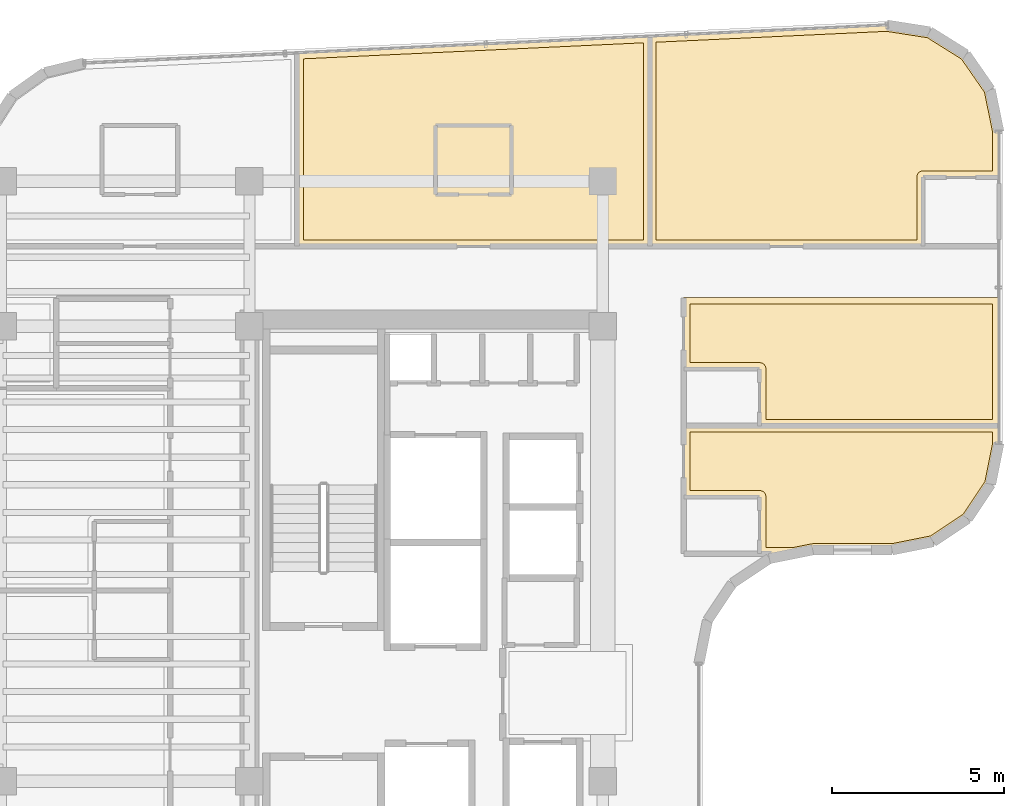
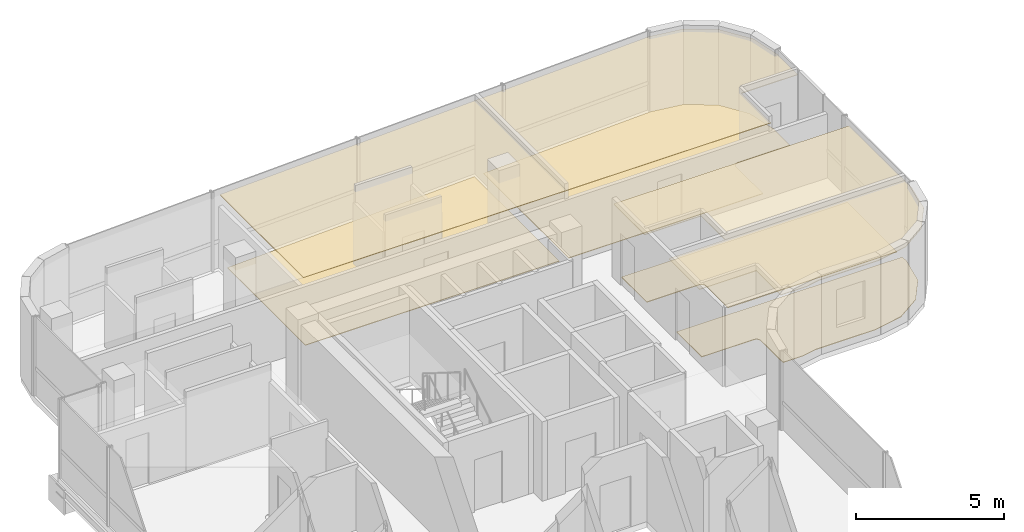
# One storey, part 20 of 20: 8 coverings.
"""IFC4 building model written with IfcOpenShell, lengths in metres."""

import ifcopenshell
import ifcopenshell.guid

model = None  # the IFC model being written
_history = None  # IfcOwnerHistory: only IFC2X3 demands one
_inside = {}  # id of a spatial element -> (the spatial element, [elements in it])
_under = {}  # id of a project, library or spatial element -> (it, [spatial elements below it])
_declared = {}  # id of a project -> (the project, [libraries it declares])
_typed = {}  # id of a type object -> (the type object, [elements of that type])
_made_of = {}  # id of a material, layer set ... -> (it, [elements and type objects made of it])


def new_model(schema):
    """Start an empty IFC model of exactly this schema.

    Asked for "IFC4X3", IfcOpenShell would pick the latest addendum, in which some entities
    have other attributes; the version numbers below select the first issue.
    IFC2X3 requires an IfcOwnerHistory on every rooted entity: one is made here for all.
    """
    global model, _history
    if schema == "IFC4X3":
        model = ifcopenshell.file(schema_version=(4, 3, 0, 0))
    else:
        model = ifcopenshell.file(schema=schema)
    _inside.clear()
    _under.clear()
    _declared.clear()
    _typed.clear()
    _made_of.clear()
    _history = None
    if model.schema == "IFC2X3":
        org = make("IfcOrganization", Name="unknown")
        user = make(
            "IfcPersonAndOrganization",
            ThePerson=make("IfcPerson", FamilyName="unknown"),
            TheOrganization=org,
        )
        app = make(
            "IfcApplication",
            ApplicationDeveloper=org,
            Version="unknown",
            ApplicationFullName="unknown",
            ApplicationIdentifier="unknown",
        )
        _history = make(
            "IfcOwnerHistory",
            OwningUser=user,
            OwningApplication=app,
            ChangeAction="ADDED",
            CreationDate=0,
        )
    return model


def make(cls, **values):
    """One entity of the class cls with the attributes given. An attribute that is None is left unset."""
    return model.create_entity(
        cls, **{name: value for name, value in values.items() if value is not None}
    )


def rooted(cls, **values):
    """An entity with a GlobalId (a new one), such as an element, a storey or a relation."""
    return make(cls, GlobalId=ifcopenshell.guid.new(), OwnerHistory=_history, **values)


def si_unit(unit_type, name, prefix=None):
    """IfcSIUnit, for example si_unit("LENGTHUNIT", "METRE", prefix="MILLI")."""
    return make("IfcSIUnit", UnitType=unit_type, Prefix=prefix, Name=name)


def assignment(units):
    """IfcUnitAssignment: the units of a project."""
    return None if units is None else make("IfcUnitAssignment", Units=units)


def point(xyz):
    """IfcCartesianPoint."""
    return None if xyz is None else make("IfcCartesianPoint", Coordinates=xyz)


def direction(xyz):
    """IfcDirection."""
    return None if xyz is None else make("IfcDirection", DirectionRatios=xyz)


def frame(location, z_axis=None, x_axis=None):
    """IfcAxis2Placement3D, a coordinate frame: its origin and axes. An axis left out is left unset."""
    return make(
        "IfcAxis2Placement3D",
        Location=point(location),
        Axis=direction(z_axis),
        RefDirection=direction(x_axis),
    )


def origin():
    """The frame at (0, 0, 0) with its axes left unset."""
    return frame((0.0, 0.0, 0.0))


def place(relative_to, where):
    """IfcLocalPlacement: puts the frame where relative to a parent placement (None: the world)."""
    return make(
        "IfcLocalPlacement", PlacementRelTo=relative_to, RelativePlacement=where
    )


def context(
    kind, dimensions, precision=None, world=None, true_north=None, identifier=None
):
    """IfcGeometricRepresentationContext, for example the 3D "Model" context."""
    return make(
        "IfcGeometricRepresentationContext",
        ContextIdentifier=identifier,
        ContextType=kind,
        CoordinateSpaceDimension=dimensions,
        Precision=precision,
        WorldCoordinateSystem=world,
        TrueNorth=true_north,
    )


def subcontext(parent, identifier, kind, view, scale=None):
    """IfcGeometricRepresentationSubContext, for example "Body" below "Model"."""
    return make(
        "IfcGeometricRepresentationSubContext",
        ContextIdentifier=identifier,
        ContextType=kind,
        ParentContext=parent,
        TargetScale=scale,
        TargetView=view,
    )


def project(units=None, contexts=None):
    """IfcProject with its units and contexts."""
    return rooted(
        "IfcProject",
        Name="project",
        RepresentationContexts=contexts,
        UnitsInContext=assignment(units),
    )


def spatial(cls, under=None, at=None, **own):
    """A site, building, storey or space (cls), placed at a placement, below another one or the project."""
    s = rooted(cls, ObjectPlacement=at, **own)
    if under is not None:
        _under.setdefault(under.id(), (under, []))[1].append(s)
    return s


def polyline(points):
    """IfcPolyline through the points."""
    return make("IfcPolyline", Points=[point(p) for p in points])


def outline(outer, holes=None, kind="AREA"):
    """IfcArbitraryClosedProfileDef: a profile drawn as a closed curve; with holes, ...WithVoids."""
    if holes is None:
        return make("IfcArbitraryClosedProfileDef", ProfileType=kind, OuterCurve=outer)
    return make(
        "IfcArbitraryProfileDefWithVoids",
        ProfileType=kind,
        OuterCurve=outer,
        InnerCurves=holes,
    )


def extrude(swept, where, along, depth):
    """IfcExtrudedAreaSolid: the profile swept, set in the frame where, extruded along a direction by depth."""
    return make(
        "IfcExtrudedAreaSolid",
        SweptArea=swept,
        Position=where,
        ExtrudedDirection=direction(along),
        Depth=depth,
    )


def shape(context_of_items, identifier, shape_type, items):
    """IfcShapeRepresentation: the items that make up one representation, for example the "Body"."""
    return make(
        "IfcShapeRepresentation",
        ContextOfItems=context_of_items,
        RepresentationIdentifier=identifier,
        RepresentationType=shape_type,
        Items=items,
    )


def material(Name=None, Category=None):
    """IfcMaterial."""
    return make("IfcMaterial", Name=Name, Category=Category)


def layer(
    of_material, thickness, ventilated=None, Name=None, Category=None, Priority=None
):
    """IfcMaterialLayer: one layer of a wall or slab, of a material (None: an air gap)."""
    return make(
        "IfcMaterialLayer",
        Material=of_material,
        LayerThickness=thickness,
        IsVentilated=ventilated,
        Name=Name,
        Category=Category,
        Priority=Priority,
    )


def layer_set(layers, Name=None):
    """IfcMaterialLayerSet."""
    return make("IfcMaterialLayerSet", MaterialLayers=layers, LayerSetName=Name)


def made_of(thing, what):
    """Note that an element or type object is made of a material, layer set ...; save() writes the relation."""
    if what is not None:
        _made_of.setdefault(what.id(), (what, []))[1].append(thing)
    return thing


def type_object(cls, material=None, **own):
    """A type object (cls), such as IfcWallType, which elements share."""
    return made_of(rooted(cls, **own), material)


def element(
    cls,
    number,
    at=None,
    inside=None,
    cuts=None,
    type_object=None,
    material=None,
    context=None,
    identifier="Body",
    shape_type=None,
    held_by="IfcProductDefinitionShape",
    body=None,
    shapes=None,
    **own,
):
    """One element of the class cls, such as IfcWall. Its Tag is "e" and its number.

    at: its placement. inside: the storey or other place that contains it. cuts: it is an
    opening in that element (IfcRelVoidsElement). A single representation is given by context,
    identifier, shape_type and body (its items); several are given by shapes. held_by: the class
    of the entity that holds the representations. save() writes the other relations.
    """
    e = rooted(cls, Tag="e%d" % number, ObjectPlacement=at, **own)
    if body is not None:
        shapes = [shape(context, identifier, shape_type, body)]
    if shapes is not None:
        e.Representation = make(held_by, Representations=shapes)
    if inside is not None:
        _inside.setdefault(inside.id(), (inside, []))[1].append(e)
    if cuts is not None:
        rooted(
            "IfcRelVoidsElement", RelatingBuildingElement=cuts, RelatedOpeningElement=e
        )
    if type_object is not None:
        _typed.setdefault(type_object.id(), (type_object, []))[1].append(e)
    return made_of(e, material)


def aggregate(whole, parts):
    """IfcRelAggregates: a whole, such as a stair, and the parts it consists of."""
    return rooted("IfcRelAggregates", RelatingObject=whole, RelatedObjects=parts)


def save(model, path):
    """Write the relations noted so far, then the file.

    IfcRelAggregates (storeys below a building ...), IfcRelContainedInSpatialStructure (elements
    in a storey), IfcRelDefinesByType, IfcRelAssociatesMaterial and IfcRelDeclares: one each for
    every whole, place, type object, material and project.
    """
    for whole, parts in _under.values():
        aggregate(whole, parts)
    for where, things in _inside.values():
        rooted(
            "IfcRelContainedInSpatialStructure",
            RelatedElements=things,
            RelatingStructure=where,
        )
    for kind, things in _typed.values():
        rooted("IfcRelDefinesByType", RelatedObjects=things, RelatingType=kind)
    for what, things in _made_of.values():
        rooted("IfcRelAssociatesMaterial", RelatedObjects=things, RelatingMaterial=what)
    for by, libraries in _declared.values():
        rooted("IfcRelDeclares", RelatingContext=by, RelatedDefinitions=libraries)
    model.write(path)


model = new_model("IFC4")

# Units and contexts
model_context = context("Model", 3, precision=1e-05, world=origin(), true_north=direction((0.0, 1.0)))
body_context = subcontext(model_context, "Body", "Model", "MODEL_VIEW")
ifc_project = project(units=[si_unit("LENGTHUNIT", "METRE"), si_unit("AREAUNIT", "SQUARE_METRE"), si_unit("VOLUMEUNIT", "CUBIC_METRE"), si_unit("PLANEANGLEUNIT", "RADIAN"), si_unit("MASSUNIT", "GRAM", prefix="KILO")], contexts=[model_context])

# Site, building, storey
site_placement = place(None, origin())
site = spatial("IfcSite", under=ifc_project, at=site_placement, CompositionType="ELEMENT")
building_placement = place(site_placement, origin())
building = spatial("IfcBuilding", under=site, at=building_placement, Name="Valdorenza Pilgrim Sanctuary Tower", CompositionType="ELEMENT")
storey_placement = place(building_placement, frame((0.0, 0.0, 244.0)))
storey = spatial("IfcBuildingStorey", under=building, at=storey_placement, Name="L63", CompositionType="ELEMENT", Elevation=244.0)

# Coverings
ifc_material_1 = material(Name="Micro-perforated acoustic mineral ceiling tile", Category="gypsum")
ifc_layer_1 = layer(ifc_material_1, 0.02490234375, Name="Micro-perforated acoustic mineral ceiling tile")
ifc_layer_set_1 = layer_set([ifc_layer_1], Name="Micro-perforated acoustic mineral ceiling tile")
covering_type_1 = type_object("IfcCoveringType", Name="COV-CLG-ACU", PredefinedType="CEILING", material=ifc_layer_set_1)
covering_1_placement = place(storey_placement, frame((0.0, 0.0, 2.9599609375)))
element("IfcCovering", 1, at=covering_1_placement, inside=storey, type_object=covering_type_1, Name="L63 North Guest Room L63-N2 Acoustic Ceiling", PredefinedType="CEILING", context=body_context, shape_type="SweptSolid", body=[
    extrude(outline(polyline([(-21.280029296875, 18.525146484375), (-21.280029296875, 18.52587890625), (-21.27978515625, 18.52734375), (-21.279541015625, 18.52880859375), (-21.279052734375, 18.5302734375), (-21.278564453125, 18.531494140625), (-21.27783203125, 18.532958984375), (-21.277099609375, 18.5341796875), (-21.276123046875, 18.535400390625), (-21.275146484375, 18.536376953125), (-21.27392578125, 18.537109375), (-21.272705078125, 18.5380859375), (-21.271484375, 18.538818359375), (-21.27001953125, 18.539306640625), (-21.2685546875, 18.539794921875), (-21.26708984375, 18.5400390625), (-21.265625, 18.540283203125), (-11.034423828125, 19.0224609375), (-11.03369140625, 19.0224609375), (-11.032958984375, 19.0224609375), (-11.031494140625, 19.0224609375), (-11.030029296875, 19.022216796875), (-11.028564453125, 19.02197265625), (-11.02734375, 19.021484375), (-11.02587890625, 19.020751953125), (-11.024658203125, 19.02001953125), (-11.0234375, 19.01904296875), (-11.0224609375, 19.01806640625), (-11.021484375, 19.01708984375), (-11.0205078125, 19.015869140625), (-11.019775390625, 19.0146484375), (-11.01904296875, 19.01318359375), (-11.0185546875, 19.011962890625), (-11.018310546875, 19.010498046875), (-11.01806640625, 19.009033203125), (-11.01806640625, 19.007568359375), (-11.01806640625, 12.919921875), (-11.01806640625, 12.91845703125), (-11.018310546875, 12.9169921875), (-11.0185546875, 12.91552734375), (-11.01904296875, 12.914306640625), (-11.019775390625, 12.912841796875), (-11.0205078125, 12.91162109375), (-11.021484375, 12.910400390625), (-11.0224609375, 12.909423828125), (-11.0234375, 12.908447265625), (-11.024658203125, 12.907470703125), (-11.02587890625, 12.90673828125), (-11.02734375, 12.906005859375), (-11.028564453125, 12.905517578125), (-11.030029296875, 12.9052734375), (-11.031494140625, 12.905029296875), (-11.032958984375, 12.905029296875), (-21.264892578125, 12.905029296875), (-21.2666015625, 12.905029296875), (-21.267822265625, 12.9052734375), (-21.269287109375, 12.905517578125), (-21.270751953125, 12.906005859375), (-21.272216796875, 12.90673828125), (-21.273193359375, 12.907470703125), (-21.2744140625, 12.908447265625), (-21.275634765625, 12.909423828125), (-21.276611328125, 12.910400390625), (-21.277587890625, 12.91162109375), (-21.2783203125, 12.912841796875), (-21.27880859375, 12.914306640625), (-21.279296875, 12.91552734375), (-21.27978515625, 12.9169921875), (-21.27978515625, 12.91845703125), (-21.280029296875, 12.919921875), (-21.280029296875, 18.525146484375), (-21.280029296875, 18.525146484375)])), origin(), (0.0, 0.0, 1.0), 0.025146484375),
])
covering_2_placement = place(storey_placement, frame((0.0, 0.0, 2.9599609375)))
element("IfcCovering", 2, at=covering_2_placement, inside=storey, type_object=covering_type_1, Name="L63 North Guest Room L63-N3 Acoustic Ceiling", PredefinedType="CEILING", context=body_context, shape_type="SweptSolid", body=[
    extrude(outline(polyline([(-11.0458984375, 19.007568359375), (-11.0458984375, 19.00830078125), (-11.0458984375, 19.009765625), (-11.045654296875, 19.01123046875), (-11.045166015625, 19.0126953125), (-11.044677734375, 19.01416015625), (-11.0439453125, 19.015380859375), (-11.04296875, 19.0166015625), (-11.0419921875, 19.017578125), (-11.041015625, 19.018798828125), (-11.039794921875, 19.019775390625), (-11.038818359375, 19.0205078125), (-11.037353515625, 19.021240234375), (-11.035888671875, 19.021728515625), (-11.03466796875, 19.022216796875), (-11.033203125, 19.0224609375), (-11.03173828125, 19.022705078125), (-4.157470703125, 19.3466796875), (-4.156005859375, 19.3466796875), (-4.154296875, 19.346435546875), (-2.91748046875, 19.153076171875), (-2.916015625, 19.152587890625), (-2.91455078125, 19.15234375), (-2.9130859375, 19.151611328125), (-2.911865234375, 19.15087890625), (-1.860595703125, 18.492431640625), (-1.859619140625, 18.49169921875), (-1.8583984375, 18.490478515625), (-1.857421875, 18.489501953125), (-1.8564453125, 18.48828125), (-1.149169921875, 17.46923828125), (-1.148193359375, 17.468017578125), (-1.147705078125, 17.466552734375), (-1.147216796875, 17.465087890625), (-1.146728515625, 17.463623046875), (-0.895263671875, 16.237548828125), (-0.89501953125, 16.236083984375), (-0.89501953125, 16.234375), (-0.89501953125, 14.922119140625), (-0.89501953125, 14.92041015625), (-0.895263671875, 14.919189453125), (-0.8955078125, 14.91748046875), (-0.89599609375, 14.916259765625), (-0.896728515625, 14.914794921875), (-0.8974609375, 14.913818359375), (-0.8984375, 14.91259765625), (-0.8994140625, 14.911376953125), (-0.900390625, 14.910400390625), (-0.901611328125, 14.909423828125), (-0.90283203125, 14.90869140625), (-0.904296875, 14.908203125), (-0.905517578125, 14.90771484375), (-0.906982421875, 14.9072265625), (-0.908447265625, 14.906982421875), (-0.909912109375, 14.906982421875), (-3.096923828125, 14.906982421875), (-3.096923828125, 12.919921875), (-3.09716796875, 12.91845703125), (-3.097412109375, 12.9169921875), (-3.09765625, 12.91552734375), (-3.09814453125, 12.914306640625), (-3.098876953125, 12.912841796875), (-3.099609375, 12.91162109375), (-3.100341796875, 12.910400390625), (-3.101318359375, 12.909423828125), (-3.1025390625, 12.908447265625), (-3.103759765625, 12.907470703125), (-3.10498046875, 12.90673828125), (-3.106201171875, 12.906005859375), (-3.107666015625, 12.905517578125), (-3.109130859375, 12.9052734375), (-3.110595703125, 12.905029296875), (-3.112060546875, 12.905029296875), (-11.031005859375, 12.905029296875), (-11.032470703125, 12.905029296875), (-11.033935546875, 12.9052734375), (-11.035400390625, 12.905517578125), (-11.03662109375, 12.906005859375), (-11.0380859375, 12.90673828125), (-11.039306640625, 12.907470703125), (-11.04052734375, 12.908447265625), (-11.04150390625, 12.909423828125), (-11.04248046875, 12.910400390625), (-11.04345703125, 12.91162109375), (-11.044189453125, 12.912841796875), (-11.044921875, 12.914306640625), (-11.04541015625, 12.91552734375), (-11.045654296875, 12.9169921875), (-11.0458984375, 12.91845703125), (-11.0458984375, 12.919921875), (-11.0458984375, 19.007568359375), (-11.0458984375, 19.007568359375)])), origin(), (0.0, 0.0, 1.0), 0.025146484375),
])
covering_3_placement = place(storey_placement, frame((0.0, 0.0, 2.9599609375)))
element("IfcCovering", 3, at=covering_3_placement, inside=storey, type_object=covering_type_1, Name="L63 East Sanctuary Guest Room L63-E1 Acoustic Ceiling", PredefinedType="CEILING", context=body_context, shape_type="SweptSolid", body=[
    extrude(outline(polyline([(-7.863037109375, 5.636962890625), (-10.050048828125, 5.636962890625), (-10.051513671875, 5.63720703125), (-10.052978515625, 5.63720703125), (-10.054443359375, 5.6376953125), (-10.0556640625, 5.63818359375), (-10.05712890625, 5.638916015625), (-10.058349609375, 5.639404296875), (-10.0595703125, 5.640380859375), (-10.060546875, 5.641357421875), (-10.0615234375, 5.642578125), (-10.0625, 5.643798828125), (-10.063232421875, 5.64501953125), (-10.06396484375, 5.646240234375), (-10.064453125, 5.647705078125), (-10.064697265625, 5.649169921875), (-10.06494140625, 5.650390625), (-10.06494140625, 5.652099609375), (-10.06494140625, 7.7099609375), (-10.06494140625, 7.71142578125), (-10.064697265625, 7.712890625), (-10.064453125, 7.71435546875), (-10.06396484375, 7.7158203125), (-10.063232421875, 7.717041015625), (-10.0625, 7.71826171875), (-10.0615234375, 7.719482421875), (-10.060546875, 7.720703125), (-10.0595703125, 7.7216796875), (-10.058349609375, 7.722412109375), (-10.05712890625, 7.72314453125), (-10.0556640625, 7.723876953125), (-10.054443359375, 7.724365234375), (-10.052978515625, 7.724609375), (-10.051513671875, 7.724853515625), (-10.050048828125, 7.72509765625), (-0.909912109375, 7.72509765625), (-0.908447265625, 7.724853515625), (-0.906982421875, 7.724609375), (-0.905517578125, 7.724365234375), (-0.904296875, 7.723876953125), (-0.90283203125, 7.72314453125), (-0.901611328125, 7.722412109375), (-0.900390625, 7.7216796875), (-0.8994140625, 7.720703125), (-0.8984375, 7.719482421875), (-0.8974609375, 7.71826171875), (-0.896728515625, 7.717041015625), (-0.89599609375, 7.7158203125), (-0.8955078125, 7.71435546875), (-0.895263671875, 7.712890625), (-0.89501953125, 7.71142578125), (-0.89501953125, 7.7099609375), (-0.89501953125, 7.210693359375), (-0.89501953125, 7.20947265625), (-0.895263671875, 7.2080078125), (-1.132568359375, 6.015380859375), (-1.1328125, 6.013916015625), (-1.13330078125, 6.0126953125), (-1.134033203125, 6.01123046875), (-1.134765625, 6.010009765625), (-1.80419921875, 5.00830078125), (-1.804931640625, 5.007080078125), (-1.805908203125, 5.006103515625), (-1.80712890625, 5.0048828125), (-1.808349609375, 5.004150390625), (-2.81005859375, 4.334716796875), (-2.811279296875, 4.333984375), (-2.8125, 4.33349609375), (-2.81396484375, 4.3330078125), (-2.8154296875, 4.33251953125), (-4.0078125, 4.09521484375), (-4.009521484375, 4.09521484375), (-4.0107421875, 4.094970703125), (-6.299560546875, 4.094970703125), (-6.309326171875, 4.094482421875), (-6.31884765625, 4.093017578125), (-6.86083984375, 3.9853515625), (-6.8623046875, 3.985107421875), (-6.86376953125, 3.985107421875), (-7.847900390625, 3.985107421875), (-7.849609375, 3.985107421875), (-7.850830078125, 3.9853515625), (-7.852294921875, 3.985595703125), (-7.853759765625, 3.986083984375), (-7.85498046875, 3.98681640625), (-7.856201171875, 3.987548828125), (-7.857421875, 3.98828125), (-7.858642578125, 3.989501953125), (-7.859619140625, 3.990478515625), (-7.860595703125, 3.99169921875), (-7.861083984375, 3.992919921875), (-7.86181640625, 3.994384765625), (-7.8623046875, 3.99560546875), (-7.86279296875, 3.9970703125), (-7.86279296875, 3.99853515625), (-7.863037109375, 4.0), (-7.863037109375, 5.636962890625)])), origin(), (0.0, 0.0, 1.0), 0.025146484375),
])
covering_4_placement = place(storey_placement, frame((0.0, 0.0, 2.9599609375)))
element("IfcCovering", 4, at=covering_4_placement, inside=storey, type_object=covering_type_1, Name="L63 East Sanctuary Guest Room L63-E2 Acoustic Ceiling", PredefinedType="CEILING", context=body_context, shape_type="SweptSolid", body=[
    extrude(outline(polyline([(-7.863037109375, 9.346923828125), (-10.050048828125, 9.346923828125), (-10.051513671875, 9.34716796875), (-10.052978515625, 9.347412109375), (-10.054443359375, 9.34765625), (-10.0556640625, 9.34814453125), (-10.05712890625, 9.348876953125), (-10.058349609375, 9.349609375), (-10.0595703125, 9.350341796875), (-10.060546875, 9.351318359375), (-10.0615234375, 9.3525390625), (-10.0625, 9.353759765625), (-10.063232421875, 9.35498046875), (-10.06396484375, 9.356201171875), (-10.064453125, 9.357666015625), (-10.064697265625, 9.359130859375), (-10.06494140625, 9.360595703125), (-10.06494140625, 9.362060546875), (-10.06494140625, 11.419921875), (-10.06494140625, 11.42138671875), (-10.064697265625, 11.4228515625), (-10.064453125, 11.42431640625), (-10.06396484375, 11.42578125), (-10.063232421875, 11.427001953125), (-10.0625, 11.42822265625), (-10.0615234375, 11.429443359375), (-10.060546875, 11.4306640625), (-10.0595703125, 11.431640625), (-10.058349609375, 11.4326171875), (-10.05712890625, 11.43310546875), (-10.0556640625, 11.433837890625), (-10.054443359375, 11.434326171875), (-10.052978515625, 11.434814453125), (-10.051513671875, 11.434814453125), (-10.050048828125, 11.43505859375), (-0.909912109375, 11.43505859375), (-0.908447265625, 11.434814453125), (-0.906982421875, 11.434814453125), (-0.905517578125, 11.434326171875), (-0.904296875, 11.433837890625), (-0.90283203125, 11.43310546875), (-0.901611328125, 11.4326171875), (-0.900390625, 11.431640625), (-0.8994140625, 11.4306640625), (-0.8984375, 11.429443359375), (-0.8974609375, 11.42822265625), (-0.896728515625, 11.427001953125), (-0.89599609375, 11.42578125), (-0.8955078125, 11.42431640625), (-0.895263671875, 11.4228515625), (-0.89501953125, 11.42138671875), (-0.89501953125, 11.419921875), (-0.89501953125, 7.7119140625), (-0.89501953125, 7.71044921875), (-0.895263671875, 7.708984375), (-0.8955078125, 7.70751953125), (-0.89599609375, 7.706298828125), (-0.896728515625, 7.704833984375), (-0.8974609375, 7.70361328125), (-0.8984375, 7.702392578125), (-0.8994140625, 7.701416015625), (-0.900390625, 7.700439453125), (-0.901611328125, 7.699462890625), (-0.90283203125, 7.69873046875), (-0.904296875, 7.697998046875), (-0.905517578125, 7.697509765625), (-0.906982421875, 7.697265625), (-0.908447265625, 7.697021484375), (-0.909912109375, 7.697021484375), (-7.847900390625, 7.697021484375), (-7.849609375, 7.697021484375), (-7.850830078125, 7.697265625), (-7.852294921875, 7.697509765625), (-7.853759765625, 7.697998046875), (-7.85498046875, 7.69873046875), (-7.856201171875, 7.699462890625), (-7.857421875, 7.700439453125), (-7.858642578125, 7.701416015625), (-7.859619140625, 7.702392578125), (-7.860595703125, 7.70361328125), (-7.861083984375, 7.704833984375), (-7.86181640625, 7.706298828125), (-7.8623046875, 7.70751953125), (-7.86279296875, 7.708984375), (-7.86279296875, 7.71044921875), (-7.863037109375, 7.7119140625), (-7.863037109375, 9.346923828125)])), origin(), (0.0, 0.0, 1.0), 0.025146484375),
])
ifc_material_2 = material(Name="Engineered European oak timber flooring", Category="wood")
ifc_layer_2 = layer(ifc_material_2, 0.02197265625, Name="Engineered European oak timber flooring")
ifc_layer_set_2 = layer_set([ifc_layer_2], Name="Engineered European oak timber flooring")
covering_type_2 = type_object("IfcCoveringType", Name="COV-FLR-OAK", PredefinedType="FLOORING", material=ifc_layer_set_2)
covering_5_placement = place(storey_placement, origin())
element("IfcCovering", 5, at=covering_5_placement, inside=storey, type_object=covering_type_2, Name="L63 North Guest Room L63-N2 Flooring", PredefinedType="FLOORING", context=body_context, shape_type="SweptSolid", body=[
    extrude(outline(polyline([(-11.212890625, 18.81884765625), (-11.212890625, 13.10009765625), (-21.0849609375, 13.10009765625), (-21.0849609375, 18.353515625), (-11.212890625, 18.81884765625)])), origin(), (0.0, 0.0, 1.0), 0.02490234375),
])
covering_6_placement = place(storey_placement, origin())
element("IfcCovering", 6, at=covering_6_placement, inside=storey, type_object=covering_type_2, Name="L63 North Guest Room L63-N3 Flooring", PredefinedType="FLOORING", context=body_context, shape_type="SweptSolid", body=[
    extrude(outline(polyline([(-4.16650390625, 19.15087890625), (-2.984130859375, 18.966064453125), (-1.99560546875, 18.3466796875), (-1.330322265625, 17.388427734375), (-1.090087890625, 16.21630859375), (-1.090087890625, 15.10205078125), (-3.110107421875, 15.10205078125), (-3.118896484375, 15.101806640625), (-3.118896484375, 15.101806640625), (-3.13671875, 15.10009765625), (-3.13671875, 15.10009765625), (-3.154052734375, 15.0966796875), (-3.154296875, 15.096435546875), (-3.171142578125, 15.09130859375), (-3.17138671875, 15.09130859375), (-3.187744140625, 15.084716796875), (-3.18798828125, 15.08447265625), (-3.20361328125, 15.076171875), (-3.20361328125, 15.076171875), (-3.21826171875, 15.066162109375), (-3.218505859375, 15.066162109375), (-3.232177734375, 15.054931640625), (-3.232421875, 15.0546875), (-3.244873046875, 15.042236328125), (-3.244873046875, 15.0419921875), (-3.256103515625, 15.028564453125), (-3.256103515625, 15.0283203125), (-3.26611328125, 15.013671875), (-3.26611328125, 15.013427734375), (-3.2744140625, 14.997802734375), (-3.274658203125, 14.997802734375), (-3.28125, 14.9814453125), (-3.281494140625, 14.981201171875), (-3.28662109375, 14.96435546875), (-3.28662109375, 14.964111328125), (-3.2900390625, 14.94677734375), (-3.2900390625, 14.946533203125), (-3.291748046875, 14.928955078125), (-3.291748046875, 14.9287109375), (-3.2919921875, 14.919921875), (-3.2919921875, 13.10009765625), (-10.85107421875, 13.10009765625), (-10.85107421875, 18.835693359375), (-4.16650390625, 19.15087890625)])), origin(), (0.0, 0.0, 1.0), 0.02490234375),
])
covering_7_placement = place(storey_placement, origin())
element("IfcCovering", 7, at=covering_7_placement, inside=storey, type_object=covering_type_2, Name="L63 East Sanctuary Guest Room L63-E1 Flooring", PredefinedType="FLOORING", context=body_context, shape_type="SweptSolid", body=[
    extrude(outline(polyline([(-1.090087890625, 7.228515625), (-1.31689453125, 6.088623046875), (-1.9462890625, 5.146484375), (-2.888671875, 4.516845703125), (-4.028564453125, 4.2900390625), (-6.300048828125, 4.2900390625), (-6.308837890625, 4.289794921875), (-6.319580078125, 4.289306640625), (-6.337158203125, 4.28759765625), (-6.347900390625, 4.285888671875), (-6.356689453125, 4.284423828125), (-6.881591796875, 4.179931640625), (-7.66796875, 4.179931640625), (-7.66796875, 5.64990234375), (-7.668212890625, 5.65869140625), (-7.668212890625, 5.658935546875), (-7.669921875, 5.676513671875), (-7.669921875, 5.6767578125), (-7.67333984375, 5.694091796875), (-7.673583984375, 5.6943359375), (-7.6787109375, 5.711181640625), (-7.6787109375, 5.71142578125), (-7.685302734375, 5.727783203125), (-7.685546875, 5.727783203125), (-7.69384765625, 5.743408203125), (-7.69384765625, 5.74365234375), (-7.703857421875, 5.75830078125), (-7.703857421875, 5.758544921875), (-7.715087890625, 5.772216796875), (-7.715087890625, 5.772216796875), (-7.727783203125, 5.784912109375), (-7.727783203125, 5.784912109375), (-7.741455078125, 5.796142578125), (-7.74169921875, 5.796142578125), (-7.75634765625, 5.80615234375), (-7.756591796875, 5.80615234375), (-7.772216796875, 5.814453125), (-7.772216796875, 5.814697265625), (-7.78857421875, 5.8212890625), (-7.788818359375, 5.8212890625), (-7.8056640625, 5.826416015625), (-7.805908203125, 5.82666015625), (-7.8232421875, 5.830078125), (-7.823486328125, 5.830078125), (-7.841064453125, 5.831787109375), (-7.84130859375, 5.831787109375), (-7.85009765625, 5.83203125), (-9.8701171875, 5.83203125), (-9.8701171875, 7.530029296875), (-1.090087890625, 7.530029296875), (-1.090087890625, 7.228515625)])), origin(), (0.0, 0.0, 1.0), 0.02490234375),
])
covering_8_placement = place(storey_placement, origin())
element("IfcCovering", 8, at=covering_8_placement, inside=storey, type_object=covering_type_2, Name="L63 East Sanctuary Guest Room L63-E2 Flooring", PredefinedType="FLOORING", context=body_context, shape_type="SweptSolid", body=[
    extrude(outline(polyline([(-1.090087890625, 7.89208984375), (-7.66796875, 7.89208984375), (-7.66796875, 9.360107421875), (-7.668212890625, 9.368896484375), (-7.668212890625, 9.368896484375), (-7.669921875, 9.38671875), (-7.669921875, 9.38671875), (-7.67333984375, 9.404052734375), (-7.673583984375, 9.404296875), (-7.6787109375, 9.421142578125), (-7.6787109375, 9.42138671875), (-7.685302734375, 9.437744140625), (-7.685546875, 9.43798828125), (-7.69384765625, 9.45361328125), (-7.69384765625, 9.45361328125), (-7.703857421875, 9.46826171875), (-7.703857421875, 9.468505859375), (-7.715087890625, 9.482177734375), (-7.715087890625, 9.482421875), (-7.727783203125, 9.494873046875), (-7.727783203125, 9.494873046875), (-7.741455078125, 9.506103515625), (-7.74169921875, 9.506103515625), (-7.75634765625, 9.51611328125), (-7.756591796875, 9.51611328125), (-7.772216796875, 9.5244140625), (-7.772216796875, 9.524658203125), (-7.78857421875, 9.53125), (-7.788818359375, 9.531494140625), (-7.8056640625, 9.53662109375), (-7.805908203125, 9.53662109375), (-7.8232421875, 9.5400390625), (-7.823486328125, 9.5400390625), (-7.841064453125, 9.541748046875), (-7.84130859375, 9.541748046875), (-7.85009765625, 9.5419921875), (-9.8701171875, 9.5419921875), (-9.8701171875, 11.239990234375), (-1.090087890625, 11.239990234375), (-1.090087890625, 7.89208984375)])), origin(), (0.0, 0.0, 1.0), 0.02490234375),
])

save(model, "model.ifc")
